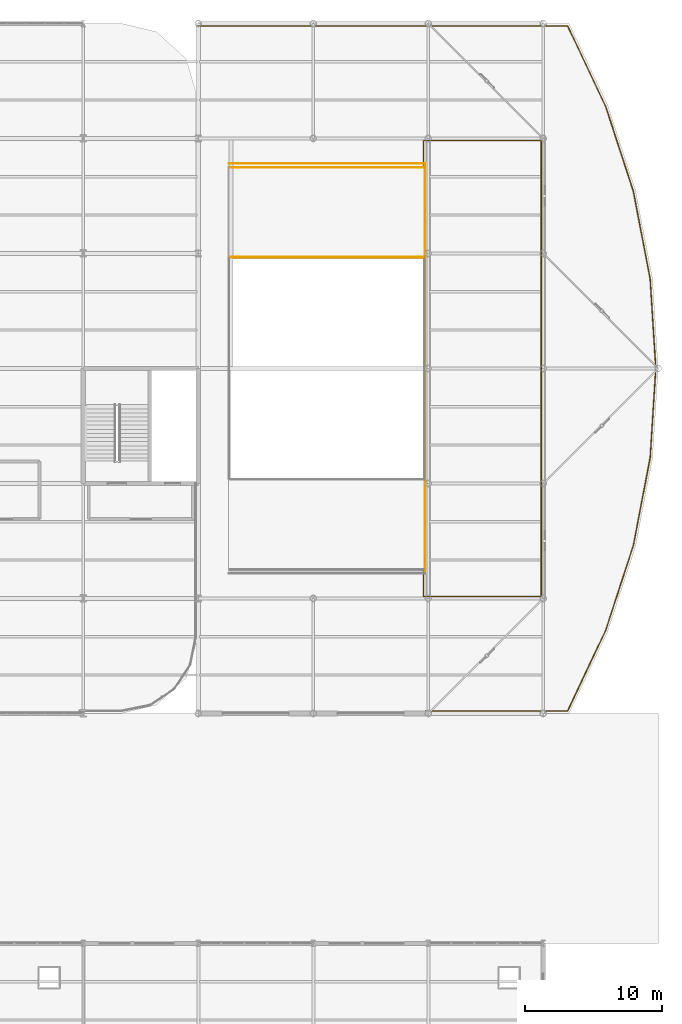
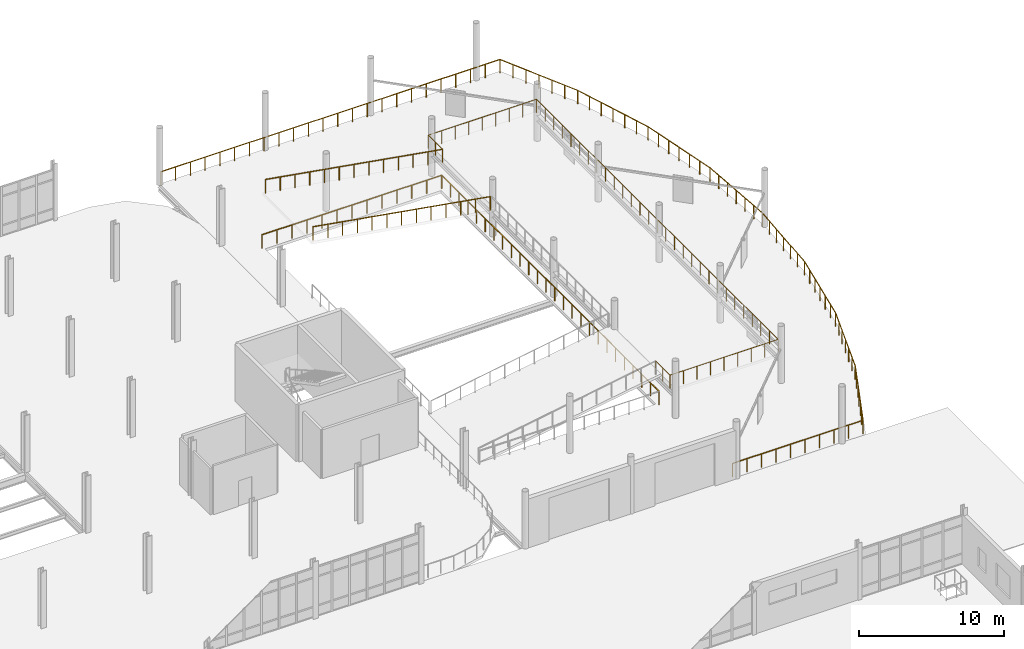
# One storey, part 145 of 145: 6 railings.
"""IFC4 building model written with IfcOpenShell, lengths in metres."""

from ifc_helpers import new_model, si_unit, direction, frame, origin, origin_2d, place, context, subcontext, project, spatial, circle, extrude, material, type_object, element, save


model = new_model("IFC4")

# Units and contexts
model_context = context("Model", 3, precision=1e-05, world=origin(), true_north=direction((0.0, 1.0)))
body_context = subcontext(model_context, "Body", "Model", "MODEL_VIEW")
ifc_project = project(units=[si_unit("LENGTHUNIT", "METRE"), si_unit("AREAUNIT", "SQUARE_METRE"), si_unit("VOLUMEUNIT", "CUBIC_METRE"), si_unit("PLANEANGLEUNIT", "RADIAN"), si_unit("MASSUNIT", "GRAM", prefix="KILO")], contexts=[model_context])

# Site, building, storey
site_placement = place(None, origin())
site = spatial("IfcSite", under=ifc_project, at=site_placement, CompositionType="ELEMENT")
building_placement = place(site_placement, origin())
building = spatial("IfcBuilding", under=site, at=building_placement, Name="Qalvenar Corner Mobility Hub", CompositionType="ELEMENT")
storey_placement = place(building_placement, origin())
storey = spatial("IfcBuildingStorey", under=building, at=storey_placement, Name="L00", CompositionType="ELEMENT", Elevation=0.0)

# Railings
ifc_material = material(Name="Galvanised Steel Deck Edge Barrier", Category="steel")
railing_type = type_object("IfcRailingType", Name="RL-GUARD-115", PredefinedType="GUARDRAIL", material=ifc_material)
railing_1_placement = place(storey_placement, frame((159.25, 100.52001953125, 2.39990234375)))
element("IfcRailing", 1, at=railing_1_placement, inside=storey, type_object=railing_type, Name="Ramp Guardrail L00-L01-GR2", PredefinedType="GUARDRAIL", context=body_context, shape_type="SweptSolid", body=[
    extrude(circle(Radius=0.02392578125, at=origin_2d()), frame((0.0, 0.0, 1.1259765625), z_axis=(-0.985819667828, 0.0, 0.167808171805), x_axis=(0.0, -1.0, 0.0)), (0.0, 0.0, 1.0), 14.302978515625),
    extrude(circle(Radius=0.02099609375, at=origin_2d()), origin(), (0.0, 0.0, 1.0), 1.101806640625),
    extrude(circle(Radius=0.02099609375, at=origin_2d()), frame((-1.175048828125, 0.0, 0.199951171875)), (0.0, 0.0, 1.0), 1.101806640625),
    extrude(circle(Radius=0.02099609375, at=origin_2d()), frame((-2.35009765625, 0.0, 0.39990234375)), (0.0, 0.0, 1.0), 1.101806640625),
    extrude(circle(Radius=0.02099609375, at=origin_2d()), frame((-3.52490234375, 0.0, 0.60009765625)), (0.0, 0.0, 1.0), 1.101806640625),
    extrude(circle(Radius=0.02099609375, at=origin_2d()), frame((-4.699951171875, 0.0, 0.800048828125)), (0.0, 0.0, 1.0), 1.101806640625),
    extrude(circle(Radius=0.02099609375, at=origin_2d()), frame((-5.875, 0.0, 1.0)), (0.0, 0.0, 1.0), 1.101806640625),
    extrude(circle(Radius=0.02099609375, at=origin_2d()), frame((-7.050048828125, 0.0, 1.2001953125)), (0.0, 0.0, 1.0), 1.101806640625),
    extrude(circle(Radius=0.02099609375, at=origin_2d()), frame((-8.22509765625, 0.0, 1.400146484375)), (0.0, 0.0, 1.0), 1.101806640625),
    extrude(circle(Radius=0.02099609375, at=origin_2d()), frame((-9.400146484375, 0.0, 1.60009765625)), (0.0, 0.0, 1.0), 1.101806640625),
    extrude(circle(Radius=0.02099609375, at=origin_2d()), frame((-10.5751953125, 0.0, 1.800048828125)), (0.0, 0.0, 1.0), 1.101806640625),
    extrude(circle(Radius=0.02099609375, at=origin_2d()), frame((-11.75, 0.0, 2.0)), (0.0, 0.0, 1.0), 1.101806640625),
    extrude(circle(Radius=0.02099609375, at=origin_2d()), frame((-12.925048828125, 0.0, 2.2001953125)), (0.0, 0.0, 1.0), 1.101806640625),
    extrude(circle(Radius=0.02099609375, at=origin_2d()), frame((-14.10009765625, 0.0, 2.400146484375)), (0.0, 0.0, 1.0), 1.101806640625),
])
railing_2_placement = place(storey_placement, frame((159.25, 107.080078125, 2.39990234375)))
element("IfcRailing", 2, at=railing_2_placement, inside=storey, type_object=railing_type, Name="Ramp Guardrail L00-L01-GR4", PredefinedType="GUARDRAIL", context=body_context, shape_type="SweptSolid", body=[
    extrude(circle(Radius=0.02392578125, at=origin_2d()), frame((0.0, 0.0, 1.1259765625), z_axis=(-0.985819667828, 0.0, 0.167808171805), x_axis=(0.0, -1.0, 0.0)), (0.0, 0.0, 1.0), 14.302978515625),
    extrude(circle(Radius=0.02099609375, at=origin_2d()), origin(), (0.0, 0.0, 1.0), 1.101806640625),
    extrude(circle(Radius=0.02099609375, at=origin_2d()), frame((-1.175048828125, 0.0, 0.199951171875)), (0.0, 0.0, 1.0), 1.101806640625),
    extrude(circle(Radius=0.02099609375, at=origin_2d()), frame((-2.35009765625, 0.0, 0.39990234375)), (0.0, 0.0, 1.0), 1.101806640625),
    extrude(circle(Radius=0.02099609375, at=origin_2d()), frame((-3.52490234375, 0.0, 0.60009765625)), (0.0, 0.0, 1.0), 1.101806640625),
    extrude(circle(Radius=0.02099609375, at=origin_2d()), frame((-4.699951171875, 0.0, 0.800048828125)), (0.0, 0.0, 1.0), 1.101806640625),
    extrude(circle(Radius=0.02099609375, at=origin_2d()), frame((-5.875, 0.0, 1.0)), (0.0, 0.0, 1.0), 1.101806640625),
    extrude(circle(Radius=0.02099609375, at=origin_2d()), frame((-7.050048828125, 0.0, 1.2001953125)), (0.0, 0.0, 1.0), 1.101806640625),
    extrude(circle(Radius=0.02099609375, at=origin_2d()), frame((-8.22509765625, 0.0, 1.400146484375)), (0.0, 0.0, 1.0), 1.101806640625),
    extrude(circle(Radius=0.02099609375, at=origin_2d()), frame((-9.400146484375, 0.0, 1.60009765625)), (0.0, 0.0, 1.0), 1.101806640625),
    extrude(circle(Radius=0.02099609375, at=origin_2d()), frame((-10.5751953125, 0.0, 1.800048828125)), (0.0, 0.0, 1.0), 1.101806640625),
    extrude(circle(Radius=0.02099609375, at=origin_2d()), frame((-11.75, 0.0, 2.0)), (0.0, 0.0, 1.0), 1.101806640625),
    extrude(circle(Radius=0.02099609375, at=origin_2d()), frame((-12.925048828125, 0.0, 2.2001953125)), (0.0, 0.0, 1.0), 1.101806640625),
    extrude(circle(Radius=0.02099609375, at=origin_2d()), frame((-14.10009765625, 0.0, 2.400146484375)), (0.0, 0.0, 1.0), 1.101806640625),
])
railing_3_placement = place(storey_placement, frame((159.25, 77.719970703125, 2.39990234375)))
element("IfcRailing", 3, at=railing_3_placement, inside=storey, type_object=railing_type, Name="Ramp Guardrail L00-L01-GRL-OUT", PredefinedType="GUARDRAIL", context=body_context, shape_type="SweptSolid", body=[
    extrude(circle(Radius=0.02392578125, at=origin_2d()), frame((0.0, 0.0, 1.1259765625), z_axis=(0.0, -1.0, 0.0), x_axis=(1.0, 0.0, 0.0)), (0.0, 0.0, 1.0), 1.969970703125),
    extrude(circle(Radius=0.02392578125, at=origin_2d()), frame((0.0, -1.969970703125, 1.1259765625), z_axis=(1.0, 0.0, 0.0), x_axis=(0.0, 1.0, 0.0)), (0.0, 0.0, 1.0), 8.60009765625),
    extrude(circle(Radius=0.02392578125, at=origin_2d()), frame((8.60009765625, -1.969970703125, 1.1259765625), z_axis=(0.0, 1.0, 0.0), x_axis=(-1.0, 0.0, 0.0)), (0.0, 0.0, 1.0), 33.300048828125),
    extrude(circle(Radius=0.02392578125, at=origin_2d()), frame((8.60009765625, 31.330078125, 1.1259765625), z_axis=(-1.0, 0.0, 0.0), x_axis=(0.0, -1.0, 0.0)), (0.0, 0.0, 1.0), 8.60009765625),
    extrude(circle(Radius=0.02392578125, at=origin_2d()), frame((0.0, 31.330078125, 1.1259765625), z_axis=(0.0, -1.0, 0.0), x_axis=(1.0, 0.0, 0.0)), (0.0, 0.0, 1.0), 1.969970703125),
    extrude(circle(Radius=0.02099609375, at=origin_2d()), origin(), (0.0, 0.0, 1.0), 1.101806640625),
    extrude(circle(Radius=0.02099609375, at=origin_2d()), frame((0.0, -0.98486328125, 0.0)), (0.0, 0.0, 1.0), 1.101806640625),
    extrude(circle(Radius=0.02099609375, at=origin_2d()), frame((0.0, -1.969970703125, 0.0)), (0.0, 0.0, 1.0), 1.101806640625),
    extrude(circle(Radius=0.02099609375, at=origin_2d()), frame((1.074951171875, -1.969970703125, 0.0)), (0.0, 0.0, 1.0), 1.101806640625),
    extrude(circle(Radius=0.02099609375, at=origin_2d()), frame((2.14990234375, -1.969970703125, 0.0)), (0.0, 0.0, 1.0), 1.101806640625),
    extrude(circle(Radius=0.02099609375, at=origin_2d()), frame((3.22509765625, -1.969970703125, 0.0)), (0.0, 0.0, 1.0), 1.101806640625),
    extrude(circle(Radius=0.02099609375, at=origin_2d()), frame((4.300048828125, -1.969970703125, 0.0)), (0.0, 0.0, 1.0), 1.101806640625),
    extrude(circle(Radius=0.02099609375, at=origin_2d()), frame((5.375, -1.969970703125, 0.0)), (0.0, 0.0, 1.0), 1.101806640625),
    extrude(circle(Radius=0.02099609375, at=origin_2d()), frame((6.4501953125, -1.969970703125, 0.0)), (0.0, 0.0, 1.0), 1.101806640625),
    extrude(circle(Radius=0.02099609375, at=origin_2d()), frame((7.525146484375, -1.969970703125, 0.0)), (0.0, 0.0, 1.0), 1.101806640625),
    extrude(circle(Radius=0.02099609375, at=origin_2d()), frame((8.60009765625, -1.969970703125, 0.0)), (0.0, 0.0, 1.0), 1.101806640625),
    extrude(circle(Radius=0.02099609375, at=origin_2d()), frame((8.60009765625, -0.78076171875, 0.0)), (0.0, 0.0, 1.0), 1.101806640625),
    extrude(circle(Radius=0.02099609375, at=origin_2d()), frame((8.60009765625, 0.40869140625, 0.0)), (0.0, 0.0, 1.0), 1.101806640625),
    extrude(circle(Radius=0.02099609375, at=origin_2d()), frame((8.60009765625, 1.597900390625, 0.0)), (0.0, 0.0, 1.0), 1.101806640625),
    extrude(circle(Radius=0.02099609375, at=origin_2d()), frame((8.60009765625, 2.787109375, 0.0)), (0.0, 0.0, 1.0), 1.101806640625),
    extrude(circle(Radius=0.02099609375, at=origin_2d()), frame((8.60009765625, 3.9765625, 0.0)), (0.0, 0.0, 1.0), 1.101806640625),
    extrude(circle(Radius=0.02099609375, at=origin_2d()), frame((8.60009765625, 5.165771484375, 0.0)), (0.0, 0.0, 1.0), 1.101806640625),
    extrude(circle(Radius=0.02099609375, at=origin_2d()), frame((8.60009765625, 6.35498046875, 0.0)), (0.0, 0.0, 1.0), 1.101806640625),
    extrude(circle(Radius=0.02099609375, at=origin_2d()), frame((8.60009765625, 7.54443359375, 0.0)), (0.0, 0.0, 1.0), 1.101806640625),
    extrude(circle(Radius=0.02099609375, at=origin_2d()), frame((8.60009765625, 8.733642578125, 0.0)), (0.0, 0.0, 1.0), 1.101806640625),
    extrude(circle(Radius=0.02099609375, at=origin_2d()), frame((8.60009765625, 9.9228515625, 0.0)), (0.0, 0.0, 1.0), 1.101806640625),
    extrude(circle(Radius=0.02099609375, at=origin_2d()), frame((8.60009765625, 11.1123046875, 0.0)), (0.0, 0.0, 1.0), 1.101806640625),
    extrude(circle(Radius=0.02099609375, at=origin_2d()), frame((8.60009765625, 12.301513671875, 0.0)), (0.0, 0.0, 1.0), 1.101806640625),
    extrude(circle(Radius=0.02099609375, at=origin_2d()), frame((8.60009765625, 13.49072265625, 0.0)), (0.0, 0.0, 1.0), 1.101806640625),
    extrude(circle(Radius=0.02099609375, at=origin_2d()), frame((8.60009765625, 14.68017578125, 0.0)), (0.0, 0.0, 1.0), 1.101806640625),
    extrude(circle(Radius=0.02099609375, at=origin_2d()), frame((8.60009765625, 15.869384765625, 0.0)), (0.0, 0.0, 1.0), 1.101806640625),
    extrude(circle(Radius=0.02099609375, at=origin_2d()), frame((8.60009765625, 17.05859375, 0.0)), (0.0, 0.0, 1.0), 1.101806640625),
    extrude(circle(Radius=0.02099609375, at=origin_2d()), frame((8.60009765625, 18.247802734375, 0.0)), (0.0, 0.0, 1.0), 1.101806640625),
    extrude(circle(Radius=0.02099609375, at=origin_2d()), frame((8.60009765625, 19.437255859375, 0.0)), (0.0, 0.0, 1.0), 1.101806640625),
    extrude(circle(Radius=0.02099609375, at=origin_2d()), frame((8.60009765625, 20.62646484375, 0.0)), (0.0, 0.0, 1.0), 1.101806640625),
    extrude(circle(Radius=0.02099609375, at=origin_2d()), frame((8.60009765625, 21.815673828125, 0.0)), (0.0, 0.0, 1.0), 1.101806640625),
    extrude(circle(Radius=0.02099609375, at=origin_2d()), frame((8.60009765625, 23.005126953125, 0.0)), (0.0, 0.0, 1.0), 1.101806640625),
    extrude(circle(Radius=0.02099609375, at=origin_2d()), frame((8.60009765625, 24.1943359375, 0.0)), (0.0, 0.0, 1.0), 1.101806640625),
    extrude(circle(Radius=0.02099609375, at=origin_2d()), frame((8.60009765625, 25.383544921875, 0.0)), (0.0, 0.0, 1.0), 1.101806640625),
    extrude(circle(Radius=0.02099609375, at=origin_2d()), frame((8.60009765625, 26.572998046875, 0.0)), (0.0, 0.0, 1.0), 1.101806640625),
    extrude(circle(Radius=0.02099609375, at=origin_2d()), frame((8.60009765625, 27.76220703125, 0.0)), (0.0, 0.0, 1.0), 1.101806640625),
    extrude(circle(Radius=0.02099609375, at=origin_2d()), frame((8.60009765625, 28.951416015625, 0.0)), (0.0, 0.0, 1.0), 1.101806640625),
    extrude(circle(Radius=0.02099609375, at=origin_2d()), frame((8.60009765625, 30.140869140625, 0.0)), (0.0, 0.0, 1.0), 1.101806640625),
    extrude(circle(Radius=0.02099609375, at=origin_2d()), frame((8.60009765625, 31.330078125, 0.0)), (0.0, 0.0, 1.0), 1.101806640625),
    extrude(circle(Radius=0.02099609375, at=origin_2d()), frame((7.525146484375, 31.330078125, 0.0)), (0.0, 0.0, 1.0), 1.101806640625),
    extrude(circle(Radius=0.02099609375, at=origin_2d()), frame((6.4501953125, 31.330078125, 0.0)), (0.0, 0.0, 1.0), 1.101806640625),
    extrude(circle(Radius=0.02099609375, at=origin_2d()), frame((5.375, 31.330078125, 0.0)), (0.0, 0.0, 1.0), 1.101806640625),
    extrude(circle(Radius=0.02099609375, at=origin_2d()), frame((4.300048828125, 31.330078125, 0.0)), (0.0, 0.0, 1.0), 1.101806640625),
    extrude(circle(Radius=0.02099609375, at=origin_2d()), frame((3.22509765625, 31.330078125, 0.0)), (0.0, 0.0, 1.0), 1.101806640625),
    extrude(circle(Radius=0.02099609375, at=origin_2d()), frame((2.14990234375, 31.330078125, 0.0)), (0.0, 0.0, 1.0), 1.101806640625),
    extrude(circle(Radius=0.02099609375, at=origin_2d()), frame((1.074951171875, 31.330078125, 0.0)), (0.0, 0.0, 1.0), 1.101806640625),
    extrude(circle(Radius=0.02099609375, at=origin_2d()), frame((0.0, 31.330078125, 0.0)), (0.0, 0.0, 1.0), 1.101806640625),
    extrude(circle(Radius=0.02099609375, at=origin_2d()), frame((0.0, 30.34521484375, 0.0)), (0.0, 0.0, 1.0), 1.101806640625),
    extrude(circle(Radius=0.02099609375, at=origin_2d()), frame((0.0, 29.360107421875, 0.0)), (0.0, 0.0, 1.0), 1.101806640625),
])
railing_4_placement = place(storey_placement, frame((159.39990234375, 67.3798828125, 0.0)))
element("IfcRailing", 4, at=railing_4_placement, inside=storey, type_object=railing_type, Name="Rotunda Drum Perimeter Barrier L00", PredefinedType="GUARDRAIL", context=body_context, shape_type="SweptSolid", body=[
    extrude(circle(Radius=0.02392578125, at=origin_2d()), frame((0.0, 0.0, 1.1259765625), z_axis=(1.0, 0.0, 0.0), x_axis=(0.0, 1.0, 0.0)), (0.0, 0.0, 1.0), 10.379638671875),
    extrude(circle(Radius=0.02392578125, at=origin_2d()), frame((10.379638671875, 0.0, 1.1259765625), z_axis=(0.426753831434, 0.904367827466, 0.0), x_axis=(-0.904367827466, 0.426753831434, 0.0)), (0.0, 0.0, 1.0), 6.5234375),
    extrude(circle(Radius=0.02392578125, at=origin_2d()), frame((13.16357421875, 5.899658203125, 1.1259765625), z_axis=(0.309730839995, 0.950824277538, 0.0), x_axis=(-0.950824277538, 0.309730839995, 0.0)), (0.0, 0.0, 1.0), 6.5234375),
    extrude(circle(Radius=0.02392578125, at=origin_2d()), frame((15.18408203125, 12.102294921875, 1.1259765625), z_axis=(0.187839523494, 0.982199731935, 0.0), x_axis=(-0.982199731935, 0.187839523494, 0.0)), (0.0, 0.0, 1.0), 6.5234375),
    extrude(circle(Radius=0.02392578125, at=origin_2d()), frame((16.409423828125, 18.509521484375, 1.1259765625), z_axis=(0.062949118857, 0.998016737553, 0.0), x_axis=(-0.998016737553, 0.062949118857, 0.0)), (0.0, 0.0, 1.0), 6.5234375),
    extrude(circle(Radius=0.02392578125, at=origin_2d()), frame((16.820068359375, 25.02001953125, 1.1259765625), z_axis=(-0.062949118857, 0.998016737553, 0.0), x_axis=(-0.998016737553, -0.062949118857, 0.0)), (0.0, 0.0, 1.0), 6.5234375),
    extrude(circle(Radius=0.02392578125, at=origin_2d()), frame((16.409423828125, 31.530517578125, 1.1259765625), z_axis=(-0.187832618856, 0.982201052379, 0.0), x_axis=(-0.982201052379, -0.187832618856, 0.0)), (0.0, 0.0, 1.0), 6.523681640625),
    extrude(circle(Radius=0.02392578125, at=origin_2d()), frame((15.18408203125, 37.93798828125, 1.1259765625), z_axis=(-0.309730839995, 0.950824277538, 0.0), x_axis=(-0.950824277538, -0.309730839995, 0.0)), (0.0, 0.0, 1.0), 6.5234375),
    extrude(circle(Radius=0.02392578125, at=origin_2d()), frame((13.16357421875, 44.140625, 1.1259765625), z_axis=(-0.426768275647, 0.904361011378, 0.0), x_axis=(-0.904361011378, -0.426768275647, 0.0)), (0.0, 0.0, 1.0), 6.523193359375),
    extrude(circle(Radius=0.02392578125, at=origin_2d()), frame((10.379638671875, 50.0400390625, 1.1259765625), z_axis=(-1.0, 0.0, 0.0), x_axis=(0.0, -1.0, 0.0)), (0.0, 0.0, 1.0), 26.9794921875),
    extrude(circle(Radius=0.02099609375, at=origin_2d()), origin(), (0.0, 0.0, 1.0), 1.101806640625),
    extrude(circle(Radius=0.02099609375, at=origin_2d()), frame((1.1533203125, 0.0, 0.0)), (0.0, 0.0, 1.0), 1.101806640625),
    extrude(circle(Radius=0.02099609375, at=origin_2d()), frame((2.306640625, 0.0, 0.0)), (0.0, 0.0, 1.0), 1.101806640625),
    extrude(circle(Radius=0.02099609375, at=origin_2d()), frame((3.4599609375, 0.0, 0.0)), (0.0, 0.0, 1.0), 1.101806640625),
    extrude(circle(Radius=0.02099609375, at=origin_2d()), frame((4.61328125, 0.0, 0.0)), (0.0, 0.0, 1.0), 1.101806640625),
    extrude(circle(Radius=0.02099609375, at=origin_2d()), frame((5.766357421875, 0.0, 0.0)), (0.0, 0.0, 1.0), 1.101806640625),
    extrude(circle(Radius=0.02099609375, at=origin_2d()), frame((6.919677734375, 0.0, 0.0)), (0.0, 0.0, 1.0), 1.101806640625),
    extrude(circle(Radius=0.02099609375, at=origin_2d()), frame((8.072998046875, 0.0, 0.0)), (0.0, 0.0, 1.0), 1.101806640625),
    extrude(circle(Radius=0.02099609375, at=origin_2d()), frame((9.226318359375, 0.0, 0.0)), (0.0, 0.0, 1.0), 1.101806640625),
    extrude(circle(Radius=0.02099609375, at=origin_2d()), frame((10.379638671875, 0.0, 0.0)), (0.0, 0.0, 1.0), 1.101806640625),
    extrude(circle(Radius=0.02099609375, at=origin_2d()), frame((10.84375, 0.9833984375, 0.0)), (0.0, 0.0, 1.0), 1.101806640625),
    extrude(circle(Radius=0.02099609375, at=origin_2d()), frame((11.3076171875, 1.966552734375, 0.0)), (0.0, 0.0, 1.0), 1.101806640625),
    extrude(circle(Radius=0.02099609375, at=origin_2d()), frame((11.771484375, 2.94970703125, 0.0)), (0.0, 0.0, 1.0), 1.101806640625),
    extrude(circle(Radius=0.02099609375, at=origin_2d()), frame((12.235595703125, 3.93310546875, 0.0)), (0.0, 0.0, 1.0), 1.101806640625),
    extrude(circle(Radius=0.02099609375, at=origin_2d()), frame((12.69970703125, 4.91650390625, 0.0)), (0.0, 0.0, 1.0), 1.101806640625),
    extrude(circle(Radius=0.02099609375, at=origin_2d()), frame((13.16357421875, 5.899658203125, 0.0)), (0.0, 0.0, 1.0), 1.101806640625),
    extrude(circle(Radius=0.02099609375, at=origin_2d()), frame((13.500244140625, 6.933349609375, 0.0)), (0.0, 0.0, 1.0), 1.101806640625),
    extrude(circle(Radius=0.02099609375, at=origin_2d()), frame((13.837158203125, 7.96728515625, 0.0)), (0.0, 0.0, 1.0), 1.101806640625),
    extrude(circle(Radius=0.02099609375, at=origin_2d()), frame((14.173828125, 9.0009765625, 0.0)), (0.0, 0.0, 1.0), 1.101806640625),
    extrude(circle(Radius=0.02099609375, at=origin_2d()), frame((14.510498046875, 10.03466796875, 0.0)), (0.0, 0.0, 1.0), 1.101806640625),
    extrude(circle(Radius=0.02099609375, at=origin_2d()), frame((14.847412109375, 11.068603515625, 0.0)), (0.0, 0.0, 1.0), 1.101806640625),
    extrude(circle(Radius=0.02099609375, at=origin_2d()), frame((15.18408203125, 12.102294921875, 0.0)), (0.0, 0.0, 1.0), 1.101806640625),
    extrude(circle(Radius=0.02099609375, at=origin_2d()), frame((15.38818359375, 13.170166015625, 0.0)), (0.0, 0.0, 1.0), 1.101806640625),
    extrude(circle(Radius=0.02099609375, at=origin_2d()), frame((15.592529296875, 14.238037109375, 0.0)), (0.0, 0.0, 1.0), 1.101806640625),
    extrude(circle(Radius=0.02099609375, at=origin_2d()), frame((15.796875, 15.305908203125, 0.0)), (0.0, 0.0, 1.0), 1.101806640625),
    extrude(circle(Radius=0.02099609375, at=origin_2d()), frame((16.0009765625, 16.373779296875, 0.0)), (0.0, 0.0, 1.0), 1.101806640625),
    extrude(circle(Radius=0.02099609375, at=origin_2d()), frame((16.205078125, 17.441650390625, 0.0)), (0.0, 0.0, 1.0), 1.101806640625),
    extrude(circle(Radius=0.02099609375, at=origin_2d()), frame((16.409423828125, 18.509521484375, 0.0)), (0.0, 0.0, 1.0), 1.101806640625),
    extrude(circle(Radius=0.02099609375, at=origin_2d()), frame((16.477783203125, 19.5947265625, 0.0)), (0.0, 0.0, 1.0), 1.101806640625),
    extrude(circle(Radius=0.02099609375, at=origin_2d()), frame((16.54638671875, 20.6796875, 0.0)), (0.0, 0.0, 1.0), 1.101806640625),
    extrude(circle(Radius=0.02099609375, at=origin_2d()), frame((16.61474609375, 21.7646484375, 0.0)), (0.0, 0.0, 1.0), 1.101806640625),
    extrude(circle(Radius=0.02099609375, at=origin_2d()), frame((16.68310546875, 22.849853515625, 0.0)), (0.0, 0.0, 1.0), 1.101806640625),
    extrude(circle(Radius=0.02099609375, at=origin_2d()), frame((16.751708984375, 23.93505859375, 0.0)), (0.0, 0.0, 1.0), 1.101806640625),
    extrude(circle(Radius=0.02099609375, at=origin_2d()), frame((16.820068359375, 25.02001953125, 0.0)), (0.0, 0.0, 1.0), 1.101806640625),
    extrude(circle(Radius=0.02099609375, at=origin_2d()), frame((16.751708984375, 26.10498046875, 0.0)), (0.0, 0.0, 1.0), 1.101806640625),
    extrude(circle(Radius=0.02099609375, at=origin_2d()), frame((16.68310546875, 27.190185546875, 0.0)), (0.0, 0.0, 1.0), 1.101806640625),
    extrude(circle(Radius=0.02099609375, at=origin_2d()), frame((16.61474609375, 28.275390625, 0.0)), (0.0, 0.0, 1.0), 1.101806640625),
    extrude(circle(Radius=0.02099609375, at=origin_2d()), frame((16.54638671875, 29.3603515625, 0.0)), (0.0, 0.0, 1.0), 1.101806640625),
    extrude(circle(Radius=0.02099609375, at=origin_2d()), frame((16.477783203125, 30.4453125, 0.0)), (0.0, 0.0, 1.0), 1.101806640625),
    extrude(circle(Radius=0.02099609375, at=origin_2d()), frame((16.409423828125, 31.530517578125, 0.0)), (0.0, 0.0, 1.0), 1.101806640625),
    extrude(circle(Radius=0.02099609375, at=origin_2d()), frame((16.205078125, 32.598388671875, 0.0)), (0.0, 0.0, 1.0), 1.101806640625),
    extrude(circle(Radius=0.02099609375, at=origin_2d()), frame((16.0009765625, 33.666259765625, 0.0)), (0.0, 0.0, 1.0), 1.101806640625),
    extrude(circle(Radius=0.02099609375, at=origin_2d()), frame((15.796875, 34.734375, 0.0)), (0.0, 0.0, 1.0), 1.101806640625),
    extrude(circle(Radius=0.02099609375, at=origin_2d()), frame((15.592529296875, 35.80224609375, 0.0)), (0.0, 0.0, 1.0), 1.101806640625),
    extrude(circle(Radius=0.02099609375, at=origin_2d()), frame((15.38818359375, 36.8701171875, 0.0)), (0.0, 0.0, 1.0), 1.101806640625),
    extrude(circle(Radius=0.02099609375, at=origin_2d()), frame((15.18408203125, 37.93798828125, 0.0)), (0.0, 0.0, 1.0), 1.101806640625),
    extrude(circle(Radius=0.02099609375, at=origin_2d()), frame((14.847412109375, 38.9716796875, 0.0)), (0.0, 0.0, 1.0), 1.101806640625),
    extrude(circle(Radius=0.02099609375, at=origin_2d()), frame((14.510498046875, 40.005615234375, 0.0)), (0.0, 0.0, 1.0), 1.101806640625),
    extrude(circle(Radius=0.02099609375, at=origin_2d()), frame((14.173828125, 41.039306640625, 0.0)), (0.0, 0.0, 1.0), 1.101806640625),
    extrude(circle(Radius=0.02099609375, at=origin_2d()), frame((13.837158203125, 42.072998046875, 0.0)), (0.0, 0.0, 1.0), 1.101806640625),
    extrude(circle(Radius=0.02099609375, at=origin_2d()), frame((13.500244140625, 43.10693359375, 0.0)), (0.0, 0.0, 1.0), 1.101806640625),
    extrude(circle(Radius=0.02099609375, at=origin_2d()), frame((13.16357421875, 44.140625, 0.0)), (0.0, 0.0, 1.0), 1.101806640625),
    extrude(circle(Radius=0.02099609375, at=origin_2d()), frame((12.69970703125, 45.123779296875, 0.0)), (0.0, 0.0, 1.0), 1.101806640625),
    extrude(circle(Radius=0.02099609375, at=origin_2d()), frame((12.235595703125, 46.107177734375, 0.0)), (0.0, 0.0, 1.0), 1.101806640625),
    extrude(circle(Radius=0.02099609375, at=origin_2d()), frame((11.771484375, 47.09033203125, 0.0)), (0.0, 0.0, 1.0), 1.101806640625),
    extrude(circle(Radius=0.02099609375, at=origin_2d()), frame((11.3076171875, 48.073486328125, 0.0)), (0.0, 0.0, 1.0), 1.101806640625),
    extrude(circle(Radius=0.02099609375, at=origin_2d()), frame((10.84375, 49.056884765625, 0.0)), (0.0, 0.0, 1.0), 1.101806640625),
    extrude(circle(Radius=0.02099609375, at=origin_2d()), frame((10.379638671875, 50.0400390625, 0.0)), (0.0, 0.0, 1.0), 1.101806640625),
    extrude(circle(Radius=0.02099609375, at=origin_2d()), frame((9.20654296875, 50.0400390625, 0.0)), (0.0, 0.0, 1.0), 1.101806640625),
    extrude(circle(Radius=0.02099609375, at=origin_2d()), frame((8.03369140625, 50.0400390625, 0.0)), (0.0, 0.0, 1.0), 1.101806640625),
    extrude(circle(Radius=0.02099609375, at=origin_2d()), frame((6.860595703125, 50.0400390625, 0.0)), (0.0, 0.0, 1.0), 1.101806640625),
    extrude(circle(Radius=0.02099609375, at=origin_2d()), frame((5.6875, 50.0400390625, 0.0)), (0.0, 0.0, 1.0), 1.101806640625),
    extrude(circle(Radius=0.02099609375, at=origin_2d()), frame((4.5146484375, 50.0400390625, 0.0)), (0.0, 0.0, 1.0), 1.101806640625),
    extrude(circle(Radius=0.02099609375, at=origin_2d()), frame((3.341552734375, 50.0400390625, 0.0)), (0.0, 0.0, 1.0), 1.101806640625),
    extrude(circle(Radius=0.02099609375, at=origin_2d()), frame((2.16845703125, 50.0400390625, 0.0)), (0.0, 0.0, 1.0), 1.101806640625),
    extrude(circle(Radius=0.02099609375, at=origin_2d()), frame((0.995361328125, 50.0400390625, 0.0)), (0.0, 0.0, 1.0), 1.101806640625),
    extrude(circle(Radius=0.02099609375, at=origin_2d()), frame((-0.177490234375, 50.0400390625, 0.0)), (0.0, 0.0, 1.0), 1.101806640625),
    extrude(circle(Radius=0.02099609375, at=origin_2d()), frame((-1.3505859375, 50.0400390625, 0.0)), (0.0, 0.0, 1.0), 1.101806640625),
    extrude(circle(Radius=0.02099609375, at=origin_2d()), frame((-2.523681640625, 50.0400390625, 0.0)), (0.0, 0.0, 1.0), 1.101806640625),
    extrude(circle(Radius=0.02099609375, at=origin_2d()), frame((-3.696533203125, 50.0400390625, 0.0)), (0.0, 0.0, 1.0), 1.101806640625),
    extrude(circle(Radius=0.02099609375, at=origin_2d()), frame((-4.86962890625, 50.0400390625, 0.0)), (0.0, 0.0, 1.0), 1.101806640625),
    extrude(circle(Radius=0.02099609375, at=origin_2d()), frame((-6.042724609375, 50.0400390625, 0.0)), (0.0, 0.0, 1.0), 1.101806640625),
    extrude(circle(Radius=0.02099609375, at=origin_2d()), frame((-7.215576171875, 50.0400390625, 0.0)), (0.0, 0.0, 1.0), 1.101806640625),
    extrude(circle(Radius=0.02099609375, at=origin_2d()), frame((-8.388671875, 50.0400390625, 0.0)), (0.0, 0.0, 1.0), 1.101806640625),
    extrude(circle(Radius=0.02099609375, at=origin_2d()), frame((-9.561767578125, 50.0400390625, 0.0)), (0.0, 0.0, 1.0), 1.101806640625),
    extrude(circle(Radius=0.02099609375, at=origin_2d()), frame((-10.73486328125, 50.0400390625, 0.0)), (0.0, 0.0, 1.0), 1.101806640625),
    extrude(circle(Radius=0.02099609375, at=origin_2d()), frame((-11.90771484375, 50.0400390625, 0.0)), (0.0, 0.0, 1.0), 1.101806640625),
    extrude(circle(Radius=0.02099609375, at=origin_2d()), frame((-13.080810546875, 50.0400390625, 0.0)), (0.0, 0.0, 1.0), 1.101806640625),
    extrude(circle(Radius=0.02099609375, at=origin_2d()), frame((-14.25390625, 50.0400390625, 0.0)), (0.0, 0.0, 1.0), 1.101806640625),
    extrude(circle(Radius=0.02099609375, at=origin_2d()), frame((-15.4267578125, 50.0400390625, 0.0)), (0.0, 0.0, 1.0), 1.101806640625),
    extrude(circle(Radius=0.02099609375, at=origin_2d()), frame((-16.599853515625, 50.0400390625, 0.0)), (0.0, 0.0, 1.0), 1.101806640625),
])
railing_5_placement = place(storey_placement, frame((145.050048828125, 107.3798828125, 0.0)))
element("IfcRailing", 5, at=railing_5_placement, inside=storey, type_object=railing_type, Name="Ramp Well Guardrail North L00", PredefinedType="GUARDRAIL", context=body_context, shape_type="SweptSolid", body=[
    extrude(circle(Radius=0.02392578125, at=origin_2d()), frame((0.0, 0.0, 1.1259765625), z_axis=(1.0, 0.0, 0.0), x_axis=(0.0, 1.0, 0.0)), (0.0, 0.0, 1.0), 14.300048828125),
    extrude(circle(Radius=0.02099609375, at=origin_2d()), origin(), (0.0, 0.0, 1.0), 1.101806640625),
    extrude(circle(Radius=0.02099609375, at=origin_2d()), frame((1.191650390625, 0.0, 0.0)), (0.0, 0.0, 1.0), 1.101806640625),
    extrude(circle(Radius=0.02099609375, at=origin_2d()), frame((2.38330078125, 0.0, 0.0)), (0.0, 0.0, 1.0), 1.101806640625),
    extrude(circle(Radius=0.02099609375, at=origin_2d()), frame((3.574951171875, 0.0, 0.0)), (0.0, 0.0, 1.0), 1.101806640625),
    extrude(circle(Radius=0.02099609375, at=origin_2d()), frame((4.7666015625, 0.0, 0.0)), (0.0, 0.0, 1.0), 1.101806640625),
    extrude(circle(Radius=0.02099609375, at=origin_2d()), frame((5.958251953125, 0.0, 0.0)), (0.0, 0.0, 1.0), 1.101806640625),
    extrude(circle(Radius=0.02099609375, at=origin_2d()), frame((7.14990234375, 0.0, 0.0)), (0.0, 0.0, 1.0), 1.101806640625),
    extrude(circle(Radius=0.02099609375, at=origin_2d()), frame((8.341796875, 0.0, 0.0)), (0.0, 0.0, 1.0), 1.101806640625),
    extrude(circle(Radius=0.02099609375, at=origin_2d()), frame((9.533447265625, 0.0, 0.0)), (0.0, 0.0, 1.0), 1.101806640625),
    extrude(circle(Radius=0.02099609375, at=origin_2d()), frame((10.72509765625, 0.0, 0.0)), (0.0, 0.0, 1.0), 1.101806640625),
    extrude(circle(Radius=0.02099609375, at=origin_2d()), frame((11.916748046875, 0.0, 0.0)), (0.0, 0.0, 1.0), 1.101806640625),
    extrude(circle(Radius=0.02099609375, at=origin_2d()), frame((13.1083984375, 0.0, 0.0)), (0.0, 0.0, 1.0), 1.101806640625),
    extrude(circle(Radius=0.02099609375, at=origin_2d()), frame((14.300048828125, 0.0, 0.0)), (0.0, 0.0, 1.0), 1.101806640625),
])
railing_6_placement = place(storey_placement, frame((159.35009765625, 77.419921875, 0.0)))
element("IfcRailing", 6, at=railing_6_placement, inside=storey, type_object=railing_type, Name="Ramp Well Guardrail East Edge L00", PredefinedType="GUARDRAIL", context=body_context, shape_type="SweptSolid", body=[
    extrude(circle(Radius=0.02392578125, at=origin_2d()), frame((0.0, 0.0, 1.1259765625), z_axis=(0.0, 1.0, 0.0), x_axis=(-1.0, 0.0, 0.0)), (0.0, 0.0, 1.0), 29.9599609375),
    extrude(circle(Radius=0.02099609375, at=origin_2d()), origin(), (0.0, 0.0, 1.0), 1.101806640625),
    extrude(circle(Radius=0.02099609375, at=origin_2d()), frame((0.0, 1.198486328125, 0.0)), (0.0, 0.0, 1.0), 1.101806640625),
    extrude(circle(Radius=0.02099609375, at=origin_2d()), frame((0.0, 2.396728515625, 0.0)), (0.0, 0.0, 1.0), 1.101806640625),
    extrude(circle(Radius=0.02099609375, at=origin_2d()), frame((0.0, 3.59521484375, 0.0)), (0.0, 0.0, 1.0), 1.101806640625),
    extrude(circle(Radius=0.02099609375, at=origin_2d()), frame((0.0, 4.793701171875, 0.0)), (0.0, 0.0, 1.0), 1.101806640625),
    extrude(circle(Radius=0.02099609375, at=origin_2d()), frame((0.0, 5.991943359375, 0.0)), (0.0, 0.0, 1.0), 1.101806640625),
    extrude(circle(Radius=0.02099609375, at=origin_2d()), frame((0.0, 7.1904296875, 0.0)), (0.0, 0.0, 1.0), 1.101806640625),
    extrude(circle(Radius=0.02099609375, at=origin_2d()), frame((0.0, 8.388671875, 0.0)), (0.0, 0.0, 1.0), 1.101806640625),
    extrude(circle(Radius=0.02099609375, at=origin_2d()), frame((0.0, 9.587158203125, 0.0)), (0.0, 0.0, 1.0), 1.101806640625),
    extrude(circle(Radius=0.02099609375, at=origin_2d()), frame((0.0, 10.78564453125, 0.0)), (0.0, 0.0, 1.0), 1.101806640625),
    extrude(circle(Radius=0.02099609375, at=origin_2d()), frame((0.0, 11.98388671875, 0.0)), (0.0, 0.0, 1.0), 1.101806640625),
    extrude(circle(Radius=0.02099609375, at=origin_2d()), frame((0.0, 13.182373046875, 0.0)), (0.0, 0.0, 1.0), 1.101806640625),
    extrude(circle(Radius=0.02099609375, at=origin_2d()), frame((0.0, 14.380859375, 0.0)), (0.0, 0.0, 1.0), 1.101806640625),
    extrude(circle(Radius=0.02099609375, at=origin_2d()), frame((0.0, 15.5791015625, 0.0)), (0.0, 0.0, 1.0), 1.101806640625),
    extrude(circle(Radius=0.02099609375, at=origin_2d()), frame((0.0, 16.777587890625, 0.0)), (0.0, 0.0, 1.0), 1.101806640625),
    extrude(circle(Radius=0.02099609375, at=origin_2d()), frame((0.0, 17.97607421875, 0.0)), (0.0, 0.0, 1.0), 1.101806640625),
    extrude(circle(Radius=0.02099609375, at=origin_2d()), frame((0.0, 19.17431640625, 0.0)), (0.0, 0.0, 1.0), 1.101806640625),
    extrude(circle(Radius=0.02099609375, at=origin_2d()), frame((0.0, 20.372802734375, 0.0)), (0.0, 0.0, 1.0), 1.101806640625),
    extrude(circle(Radius=0.02099609375, at=origin_2d()), frame((0.0, 21.5712890625, 0.0)), (0.0, 0.0, 1.0), 1.101806640625),
    extrude(circle(Radius=0.02099609375, at=origin_2d()), frame((0.0, 22.76953125, 0.0)), (0.0, 0.0, 1.0), 1.101806640625),
    extrude(circle(Radius=0.02099609375, at=origin_2d()), frame((0.0, 23.968017578125, 0.0)), (0.0, 0.0, 1.0), 1.101806640625),
    extrude(circle(Radius=0.02099609375, at=origin_2d()), frame((0.0, 25.166259765625, 0.0)), (0.0, 0.0, 1.0), 1.101806640625),
    extrude(circle(Radius=0.02099609375, at=origin_2d()), frame((0.0, 26.36474609375, 0.0)), (0.0, 0.0, 1.0), 1.101806640625),
    extrude(circle(Radius=0.02099609375, at=origin_2d()), frame((0.0, 27.563232421875, 0.0)), (0.0, 0.0, 1.0), 1.101806640625),
    extrude(circle(Radius=0.02099609375, at=origin_2d()), frame((0.0, 28.761474609375, 0.0)), (0.0, 0.0, 1.0), 1.101806640625),
    extrude(circle(Radius=0.02099609375, at=origin_2d()), frame((0.0, 29.9599609375, 0.0)), (0.0, 0.0, 1.0), 1.101806640625),
])

save(model, "model.ifc")
